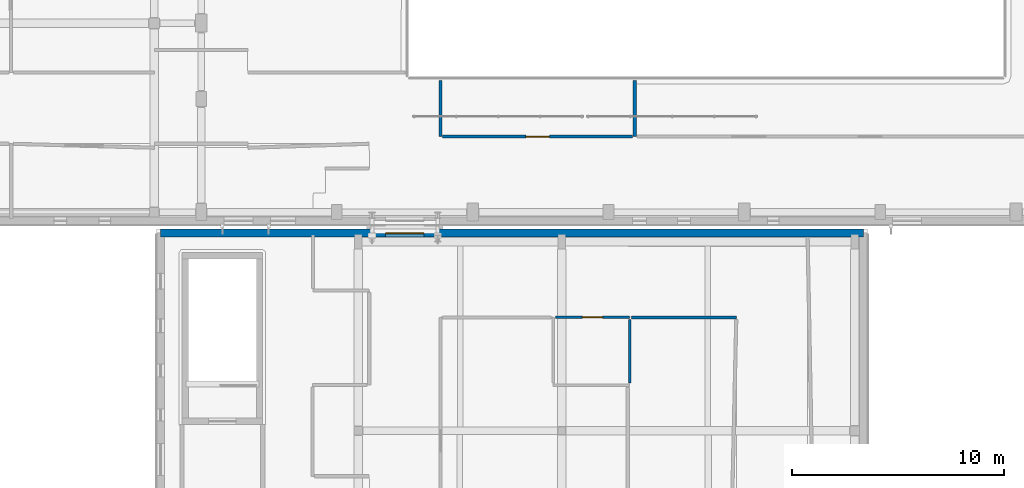
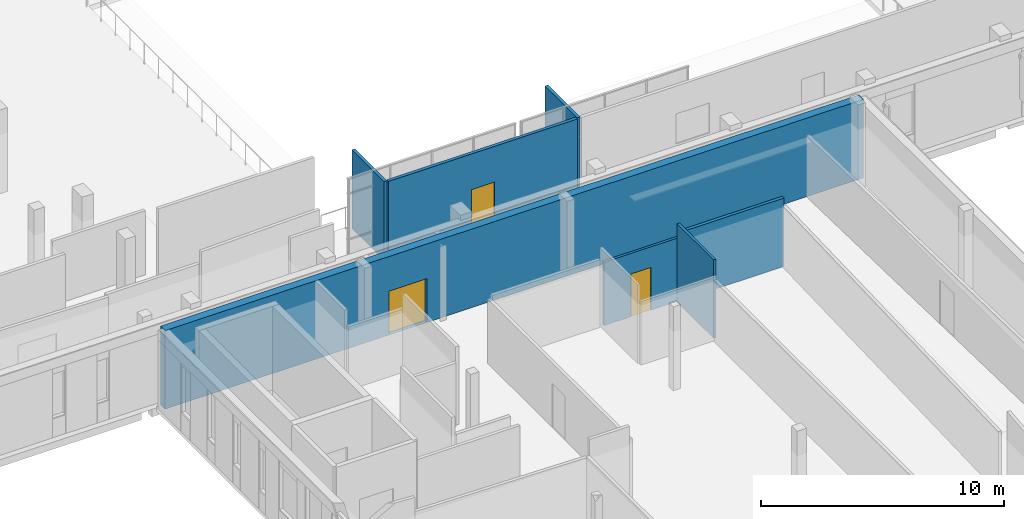
# One storey, part 49 of 84: 7 walls, 3 doors, 3 openings.
"""IFC4 building model written with IfcOpenShell, lengths in metres."""

from ifc_helpers import new_model, si_unit, direction, frame, frame_2d, origin, place, context, subcontext, project, spatial, rectangle, extrude, material, layer, layer_set, type_object, element, fill, save


model = new_model("IFC4")

# Units and contexts
model_context = context("Model", 3, precision=1e-05, world=origin(), true_north=direction((0.0, 1.0)))
body_context = subcontext(model_context, "Body", "Model", "MODEL_VIEW")
ifc_project = project(units=[si_unit("LENGTHUNIT", "METRE"), si_unit("AREAUNIT", "SQUARE_METRE"), si_unit("VOLUMEUNIT", "CUBIC_METRE"), si_unit("PLANEANGLEUNIT", "RADIAN"), si_unit("MASSUNIT", "GRAM", prefix="KILO")], contexts=[model_context])

# Site, building, storey
site_placement = place(None, origin())
site = spatial("IfcSite", under=ifc_project, at=site_placement, CompositionType="ELEMENT")
building_placement = place(site_placement, origin())
building = spatial("IfcBuilding", under=site, at=building_placement, Name="Mzevani Central Library", CompositionType="ELEMENT")
storey_placement = place(building_placement, frame((0.0, 0.0, 5.39990234375)))
storey = spatial("IfcBuildingStorey", under=building, at=storey_placement, Name="L01", CompositionType="ELEMENT", Elevation=5.39990234375)

# Wall, opening, door
ifc_material_1 = material(Name="Precast concrete C40/50", Category="concrete")
ifc_layer_1 = layer(ifc_material_1, 0.3798828125, Name="Exterior Thermal Concrete Wall 380")
ifc_layer_set_1 = layer_set([ifc_layer_1], Name="Precast concrete C40/50")
wall_type_1 = type_object("IfcWallType", Name="Exterior Thermal Concrete Wall 380", PredefinedType="STANDARD", material=ifc_layer_set_1)
wall_1_placement = place(storey_placement, frame((112.2900390625, 42.110107421875, 0.0), z_axis=(0.0, 0.0, 1.0), x_axis=(1.0, 0.0, 0.0)))
wall_1 = element("IfcWall", 1, at=wall_1_placement, inside=storey, type_object=wall_type_1, Name="L01 V6 Exterior Thermal Wall (108)", PredefinedType="STANDARD", context=body_context, shape_type="SweptSolid", body=[
    extrude(rectangle(XDim=33.119873046875, YDim=0.3798828125, at=frame_2d((16.56005859375, 0.0))), origin(), (0.0, 0.0, 1.0), 3.940185546875),
])
opening_1_placement = place(wall_1_placement, frame((10.610107421875, 0.0, 0.0)))
opening_1 = element("IfcOpeningElement", 2, at=opening_1_placement, cuts=wall_1, Name="Opening FD-06", PredefinedType="OPENING", context=body_context, shape_type="SweptSolid", body=[
    extrude(rectangle(XDim=1.800048828125, YDim=2.199951171875, at=frame_2d((0.89990234375, 1.10009765625))), frame((0.0, 0.199951171875, 0.0), z_axis=(0.0, -1.0, 0.0), x_axis=(1.0, 0.0, 0.0)), (0.0, 0.0, 1.0), 0.39990234375),
])
ifc_material_2 = material(Name="Fire-rated steel door assembly", Category="steel")
door_type_1 = type_object("IfcDoorType", Name="Fire Corridor Double Door 1800x2200", OperationType="NOTDEFINED", PredefinedType="DOOR", material=ifc_material_2)
door_1_placement = place(opening_1_placement, origin())
door_1 = element("IfcDoor", 3, at=door_1_placement, inside=storey, type_object=door_type_1, Name="L01 Children-Reading Hall Seismic Passage L01 Fire Portal Door (V6)", OperationType="DOUBLE_DOOR_SINGLE_SWING", OverallHeight=2.199951171875, OverallWidth=1.800048828125, PredefinedType="DOOR", context=body_context, shape_type="SweptSolid", body=[
    extrude(rectangle(XDim=1.800048828125, YDim=2.199951171875, at=frame_2d((0.89990234375, 1.10009765625))), frame((0.0, 0.02490234375, 0.0), z_axis=(0.0, -1.0, 0.0), x_axis=(1.0, 0.0, 0.0)), (0.0, 0.0, 1.0), 0.050048828125),
])
fill(opening_1, door_1)

ifc_material_3 = material(Name="Fire-rated gypsum board", Category="gypsum")
ifc_layer_2 = layer(ifc_material_3, 0.1201171875, Name="Partition Acoustic 120")
ifc_layer_set_2 = layer_set([ifc_layer_2], Name="Fire-rated gypsum board")
wall_type_2 = type_object("IfcWallType", Name="Partition Acoustic 120", PredefinedType="PARTITIONING", material=ifc_layer_set_2)
wall_2_placement = place(storey_placement, frame((130.889892578125, 38.139892578125, 0.0), z_axis=(0.0, 0.0, 1.0), x_axis=(1.0, 0.0, 0.0)))
wall_2 = element("IfcWall", 4, at=wall_2_placement, inside=storey, type_object=wall_type_2, Name="L01 V6 Partition IW-02 (342)", PredefinedType="PARTITIONING", context=body_context, shape_type="SweptSolid", body=[
    extrude(rectangle(XDim=3.5, YDim=0.1201171875, at=frame_2d((1.75, 0.0))), origin(), (0.0, 0.0, 1.0), 3.18017578125),
])
opening_2_placement = place(wall_2_placement, frame((1.27490234375, 0.0, 0.0)))
opening_2 = element("IfcOpeningElement", 5, at=opening_2_placement, cuts=wall_2, Name="Opening ID-02", PredefinedType="OPENING", context=body_context, shape_type="SweptSolid", body=[
    extrude(rectangle(XDim=0.949951171875, YDim=2.14990234375, at=frame_2d((0.47509765625, 1.074951171875))), frame((0.0, 0.070068359375, 0.0), z_axis=(0.0, -1.0, 0.0), x_axis=(1.0, 0.0, 0.0)), (0.0, 0.0, 1.0), 0.14013671875),
])
ifc_material_4 = material(Name="Fire-rated solid oak leaf")
door_type_2 = type_object("IfcDoorType", Name="Accessible WC Door 950x2150", OperationType="NOTDEFINED", PredefinedType="DOOR", material=ifc_material_4)
door_2_placement = place(opening_2_placement, origin())
door_2 = element("IfcDoor", 6, at=door_2_placement, inside=storey, type_object=door_type_2, Name="L01 Accessible WC and Public Toilet V6 Door", OperationType="SINGLE_SWING_LEFT", OverallHeight=2.14990234375, OverallWidth=0.949951171875, PredefinedType="DOOR", context=body_context, shape_type="SweptSolid", body=[
    extrude(rectangle(XDim=0.949951171875, YDim=2.14990234375, at=frame_2d((0.47509765625, 1.074951171875))), frame((0.0, 0.02490234375, 0.0), z_axis=(0.0, -1.0, 0.0), x_axis=(1.0, 0.0, 0.0)), (0.0, 0.0, 1.0), 0.050048828125),
])
fill(opening_2, door_2)

# Walls
wall_3_placement = place(storey_placement, frame((134.389892578125, 38.0400390625, 0.0), z_axis=(0.0, 0.0, 1.0), x_axis=(0.0, -1.0, 0.0)))
element("IfcWall", 7, at=wall_3_placement, inside=storey, type_object=wall_type_2, Name="L01 V6 Partition IW-02 (343)", PredefinedType="PARTITIONING", context=body_context, shape_type="SweptSolid", body=[
    extrude(rectangle(XDim=3.0, YDim=0.1201171875, at=frame_2d((1.5, 0.0))), origin(), (0.0, 0.0, 1.0), 3.940185546875),
])
ifc_layer_3 = layer(ifc_material_3, 0.14990234375, Name="Partition Study 150")
ifc_layer_set_3 = layer_set([ifc_layer_3], Name="Fire-rated gypsum board")
wall_type_3 = type_object("IfcWallType", Name="Partition Study 150", PredefinedType="PARTITIONING", material=ifc_layer_set_3)
for number, where, z_axis, x_axis, name in (
    (8, (125.47998046875, 46.659912109375, 0.0), (0.0, 0.0, 1.0), (0.0, 1.0, 0.0), "L01 V1 Partition IW-03 (209)"),
    (9, (134.635009765625, 49.300048828125, 0.0), (0.0, 0.0, 1.0), (0.0, -1.0, 0.0), "L01 V1 Partition IW-03 (210)"),
):
    element("IfcWall", number, at=place(storey_placement, frame(where, z_axis=z_axis, x_axis=x_axis)), inside=storey, type_object=wall_type_3, Name=name, PredefinedType="PARTITIONING", context=body_context, shape_type="SweptSolid", body=[
        extrude(rectangle(XDim=2.64013671875, YDim=0.14990234375, at=frame_2d((1.320068359375, 0.0))), origin(), (0.0, 0.0, 1.0), 3.940185546875),
    ])

# Wall, opening, door
wall_4_placement = place(storey_placement, frame((134.534912109375, 46.659912109375, 0.0), z_axis=(0.0, 0.0, 1.0), x_axis=(-1.0, 0.0, 0.0)))
wall_4 = element("IfcWall", 10, at=wall_4_placement, inside=storey, type_object=wall_type_3, Name="L01 V1 Partition IW-03 (211)", PredefinedType="PARTITIONING", context=body_context, shape_type="SweptSolid", body=[
    extrude(rectangle(XDim=8.954833984375, YDim=0.14990234375, at=frame_2d((4.4775390625, 0.0))), origin(), (0.0, 0.0, 1.0), 3.940185546875),
])
opening_3_placement = place(wall_4_placement, frame((3.927490234375, 0.0, 0.0)))
opening_3 = element("IfcOpeningElement", 11, at=opening_3_placement, cuts=wall_4, Name="Opening FD-04", PredefinedType="OPENING", context=body_context, shape_type="SweptSolid", body=[
    extrude(rectangle(XDim=1.10009765625, YDim=2.14990234375, at=frame_2d((0.550048828125, 1.074951171875))), frame((0.0, 0.0849609375, 0.0), z_axis=(0.0, -1.0, 0.0), x_axis=(1.0, 0.0, 0.0)), (0.0, 0.0, 1.0), 0.169921875),
])
door_type_3 = type_object("IfcDoorType", Name="Fire Compartment Door 1100x2150", OperationType="NOTDEFINED", PredefinedType="DOOR", material=ifc_material_2)
door_3_placement = place(opening_3_placement, origin())
door_3 = element("IfcDoor", 12, at=door_3_placement, inside=storey, type_object=door_type_3, Name="L01 Humanities Open Book Stacks 3 Door", OperationType="SINGLE_SWING_RIGHT", OverallHeight=2.14990234375, OverallWidth=1.10009765625, PredefinedType="DOOR", context=body_context, shape_type="SweptSolid", body=[
    extrude(rectangle(XDim=1.10009765625, YDim=2.14990234375, at=frame_2d((0.550048828125, 1.074951171875))), frame((0.0, 0.02490234375, 0.0), z_axis=(0.0, -1.0, 0.0), x_axis=(1.0, 0.0, 0.0)), (0.0, 0.0, 1.0), 0.050048828125),
])
fill(opening_3, door_3)

# Wall
wall_5_placement = place(storey_placement, frame((134.489990234375, 38.139892578125, 0.0), z_axis=(0.0, 0.0, 1.0), x_axis=(1.0, 0.0, 0.0)))
element("IfcWall", 13, at=wall_5_placement, inside=storey, type_object=wall_type_3, Name="L01 V6 Partition IW-03 (358)", PredefinedType="PARTITIONING", context=body_context, shape_type="SweptSolid", body=[
    extrude(rectangle(XDim=4.929931640625, YDim=0.14990234375, at=frame_2d((2.46484375, 0.0))), origin(), (0.0, 0.0, 1.0), 3.43017578125),
])

save(model, "model.ifc")
